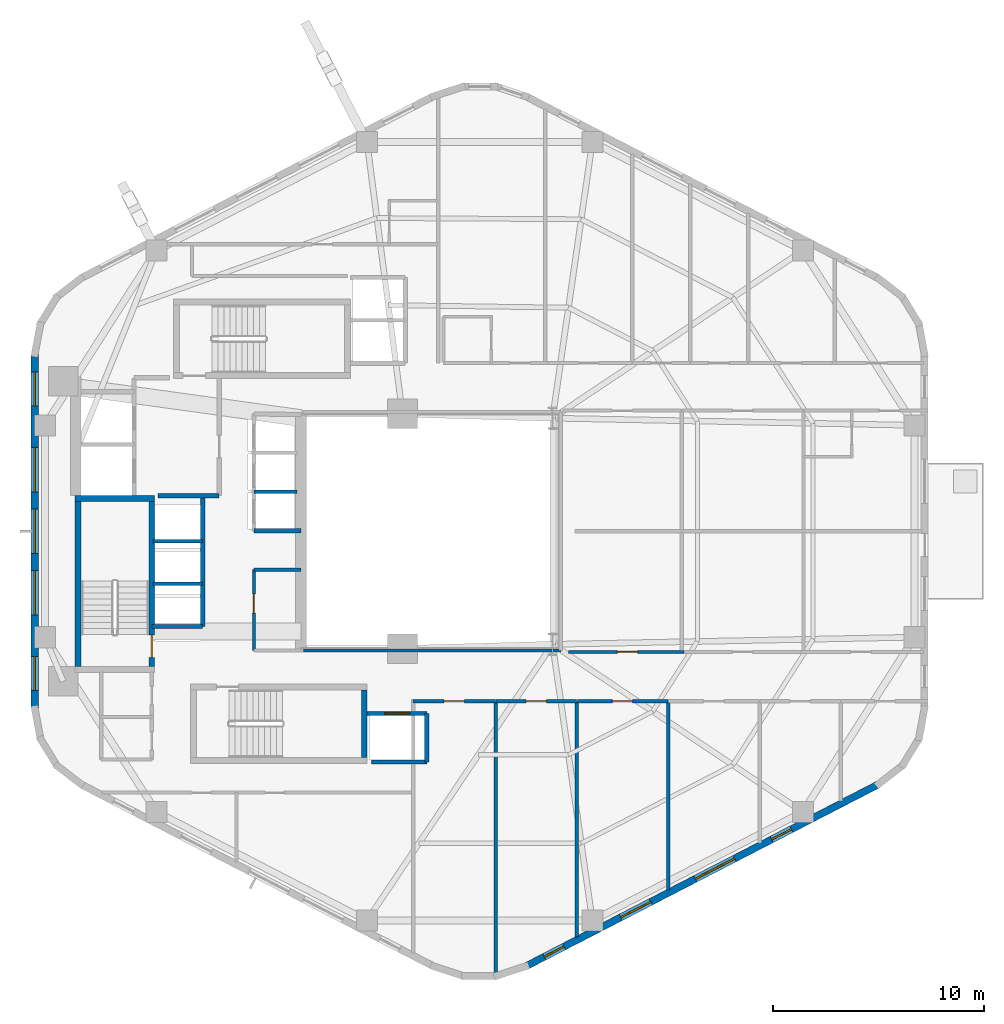
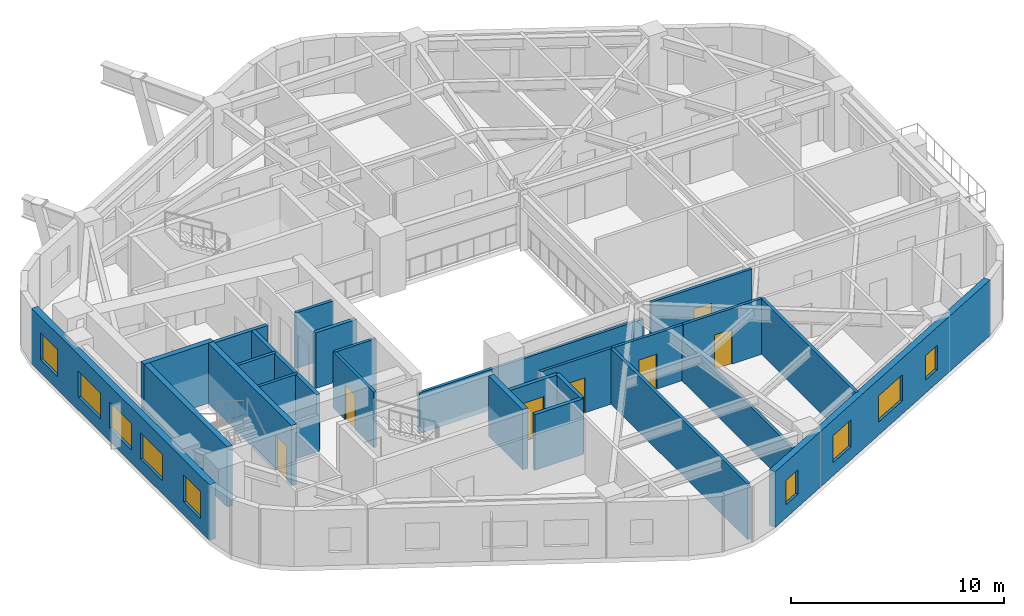
# One storey, part 3 of 8: 26 walls, 9 windows, 7 doors, 16 openings.
"""IFC4 building model written with IfcOpenShell, lengths in metres."""

from ifc_helpers import new_model, si_unit, direction, frame, frame_2d, origin, place, context, subcontext, project, spatial, rectangle, extrude, material, layer, layer_set, type_object, element, fill, save


model = new_model("IFC4")

# Units and contexts
model_context = context("Model", 3, precision=1e-05, world=origin(), true_north=direction((0.0, 1.0)))
body_context = subcontext(model_context, "Body", "Model", "MODEL_VIEW")
ifc_project = project(units=[si_unit("LENGTHUNIT", "METRE"), si_unit("AREAUNIT", "SQUARE_METRE"), si_unit("VOLUMEUNIT", "CUBIC_METRE"), si_unit("PLANEANGLEUNIT", "RADIAN"), si_unit("MASSUNIT", "GRAM", prefix="KILO"), si_unit("THERMODYNAMICTEMPERATUREUNIT", "KELVIN"), si_unit("POWERUNIT", "WATT")], contexts=[model_context])

# Site, building, storey
site_placement = place(None, origin())
site = spatial("IfcSite", under=ifc_project, at=site_placement, CompositionType="ELEMENT")
building_placement = place(site_placement, origin())
building = spatial("IfcBuilding", under=site, at=building_placement, Name="Skarre Station Tower", CompositionType="ELEMENT")
storey_placement = place(building_placement, frame((0.0, 0.0, 125.699951171875)))
storey = spatial("IfcBuildingStorey", under=building, at=storey_placement, Name="L33", CompositionType="ELEMENT", Elevation=125.699951171875)

# Wall, opening, door
ifc_material_1 = material(Name="Acoustic Steel-Stud Gypsum Partition", Category="steel")
ifc_layer_1 = layer(ifc_material_1, 0.14990234375, Name="Acoustic Steel-Stud Gypsum Partition")
ifc_layer_set_1 = layer_set([ifc_layer_1], Name="Acoustic Steel-Stud Gypsum Partition")
wall_type_1 = type_object("IfcWallType", Name="Fire-Rated Corridor Acoustic Partition 150", PredefinedType="PARTITIONING", material=ifc_layer_set_1)
wall_1_placement = place(storey_placement, frame((25.320068359375, 22.179931640625, 0.0), z_axis=(0.0, 0.0, 1.0), x_axis=(0.0, -1.0, 0.0)))
wall_1 = element("IfcWall", 1, at=wall_1_placement, inside=storey, type_object=wall_type_1, Name="L33 Interior Partition WL-PT-L33-RC1-W", PredefinedType="PARTITIONING", context=body_context, shape_type="SweptSolid", body=[
    extrude(rectangle(XDim=3.81982421875, YDim=0.14990234375, at=frame_2d((1.909912109375, 0.0))), origin(), (0.0, 0.0, 1.0), 3.18994140625),
])
opening_1_placement = place(wall_1_placement, frame((1.14990234375, 0.0, 0.0)))
opening_1 = element("IfcOpeningElement", 2, at=opening_1_placement, cuts=wall_1, Name="Opening DR-SVC90", PredefinedType="OPENING", context=body_context, shape_type="SweptSolid", body=[
    extrude(rectangle(XDim=0.89990234375, YDim=2.0, at=frame_2d((0.449951171875, 1.0))), frame((0.0, 0.0849609375, 0.0), z_axis=(0.0, -1.0, 0.0), x_axis=(1.0, 0.0, 0.0)), (0.0, 0.0, 1.0), 0.169921875),
])
ifc_material_2 = material(Name="Powder-Coated Hollow-Metal Acoustic Fire Leaf", Category="steel")
door_type_1 = type_object("IfcDoorType", Name="Service & Riser Fire Door FD60 900x2100", OperationType="SINGLE_SWING_LEFT", PredefinedType="DOOR", material=ifc_material_2)
door_1_placement = place(opening_1_placement, origin())
door_1 = element("IfcDoor", 3, at=door_1_placement, inside=storey, type_object=door_type_1, Name="L33 Staff Pantry Door", OperationType="SINGLE_SWING_LEFT", OverallHeight=2.0, OverallWidth=0.89990234375, PredefinedType="DOOR", context=body_context, shape_type="SweptSolid", body=[
    extrude(rectangle(XDim=0.89990234375, YDim=2.0, at=frame_2d((0.449951171875, 1.0))), frame((0.0, 0.02490234375, 0.0), z_axis=(0.0, -1.0, 0.0), x_axis=(1.0, 0.0, 0.0)), (0.0, 0.0, 1.0), 0.050048828125),
])
fill(opening_1, door_1)

# Walls
wall_2_placement = place(storey_placement, frame((25.320068359375, 22.179931640625, 0.0), z_axis=(0.0, 0.0, 1.0), x_axis=(1.0, 0.0, 0.0)))
element("IfcWall", 4, at=wall_2_placement, inside=storey, type_object=wall_type_1, Name="L33 Interior Partition WL-PT-L33-RC1-N2", PredefinedType="PARTITIONING", context=body_context, shape_type="SweptSolid", body=[
    extrude(rectangle(XDim=2.22998046875, YDim=0.14990234375, at=frame_2d((1.114990234375, 0.0))), origin(), (0.0, 0.0, 1.0), 3.18994140625),
])
wall_3_placement = place(storey_placement, frame((27.675048828125, 18.360107421875, 0.0), z_axis=(0.0, 0.0, 1.0), x_axis=(1.0, 0.0, 0.0)))
element("IfcWall", 5, at=wall_3_placement, inside=storey, type_object=wall_type_1, Name="L33 Interior Partition WL-PT-L33-ATRW-S", PredefinedType="PARTITIONING", context=body_context, shape_type="SweptSolid", body=[
    extrude(rectangle(XDim=12.1650390625, YDim=0.14990234375, at=frame_2d((6.08251953125, 0.0))), origin(), (0.0, 0.0, 1.0), 2.3310546875),
])

# Wall, opening, door
wall_4_placement = place(storey_placement, frame((45.6689453125, 18.2900390625, 0.0), z_axis=(0.0, 0.0, 1.0), x_axis=(-1.0, 0.0, 0.0)))
wall_4 = element("IfcWall", 6, at=wall_4_placement, inside=storey, type_object=wall_type_1, Name="L33 Interior Partition WL-PT-L33-EWS1-CW", PredefinedType="PARTITIONING", context=body_context, shape_type="SweptSolid", body=[
    extrude(rectangle(XDim=5.468994140625, YDim=0.14990234375, at=frame_2d((2.734375, 0.0))), origin(), (0.0, 0.0, 1.0), 3.18994140625),
])
opening_2_placement = place(wall_4_placement, frame((2.197021484375, 0.0, 0.0)))
opening_2 = element("IfcOpeningElement", 7, at=opening_2_placement, cuts=wall_4, Name="Opening DR-FD60", PredefinedType="OPENING", context=body_context, shape_type="SweptSolid", body=[
    extrude(rectangle(XDim=0.9599609375, YDim=2.0, at=frame_2d((0.47998046875, 1.0))), frame((0.0, 0.0849609375, 0.0), z_axis=(0.0, -1.0, 0.0), x_axis=(1.0, 0.0, 0.0)), (0.0, 0.0, 1.0), 0.169921875),
])
ifc_material_3 = material(Name="Nordic White-Oak Veneer Solid-Core Fire Leaf", Category="wood")
door_type_2 = type_object("IfcDoorType", Name="Corridor Suite Entry Fire Door FD60 960x2150", OperationType="SINGLE_SWING_LEFT", PredefinedType="DOOR", material=ifc_material_3)
door_2_placement = place(opening_2_placement, origin())
door_2 = element("IfcDoor", 8, at=door_2_placement, inside=storey, type_object=door_type_2, Name="L33 EWS1 Entry Door", OperationType="SINGLE_SWING_LEFT", OverallHeight=2.0, OverallWidth=0.9599609375, PredefinedType="DOOR", context=body_context, shape_type="SweptSolid", body=[
    extrude(rectangle(XDim=0.9599609375, YDim=2.0, at=frame_2d((0.47998046875, 1.0))), frame((0.0, 0.02490234375, 0.0), z_axis=(0.0, -1.0, 0.0), x_axis=(1.0, 0.0, 0.0)), (0.0, 0.0, 1.0), 0.050048828125),
])
fill(opening_2, door_2)

wall_5_placement = place(storey_placement, frame((32.85009765625, 15.9599609375, 0.0), z_axis=(0.0, 0.0, 1.0), x_axis=(1.0, 0.0, 0.0)))
wall_5 = element("IfcWall", 9, at=wall_5_placement, inside=storey, type_object=wall_type_1, Name="L33 Interior Partition WL-PT-L33-SW1-CW", PredefinedType="PARTITIONING", context=body_context, shape_type="SweptSolid", body=[
    extrude(rectangle(XDim=3.891845703125, YDim=0.14990234375, at=frame_2d((1.94580078125, 0.0))), origin(), (0.0, 0.0, 1.0), 3.18994140625),
])
opening_3_placement = place(wall_5_placement, frame((1.466064453125, 0.0, 0.0)))
opening_3 = element("IfcOpeningElement", 10, at=opening_3_placement, cuts=wall_5, Name="Opening DR-FD60", PredefinedType="OPENING", context=body_context, shape_type="SweptSolid", body=[
    extrude(rectangle(XDim=0.9599609375, YDim=2.0, at=frame_2d((0.47998046875, 1.0))), frame((0.0, 0.0849609375, 0.0), z_axis=(0.0, -1.0, 0.0), x_axis=(1.0, 0.0, 0.0)), (0.0, 0.0, 1.0), 0.169921875),
])
door_3_placement = place(opening_3_placement, origin())
door_3 = element("IfcDoor", 11, at=door_3_placement, inside=storey, type_object=door_type_2, Name="L33 SW1 Entry Door", OperationType="SINGLE_SWING_LEFT", OverallHeight=2.0, OverallWidth=0.9599609375, PredefinedType="DOOR", context=body_context, shape_type="SweptSolid", body=[
    extrude(rectangle(XDim=0.9599609375, YDim=2.0, at=frame_2d((0.47998046875, 1.0))), frame((0.0, 0.02490234375, 0.0), z_axis=(0.0, -1.0, 0.0), x_axis=(1.0, 0.0, 0.0)), (0.0, 0.0, 1.0), 0.050048828125),
])
fill(opening_3, door_3)

wall_6_placement = place(storey_placement, frame((36.778076171875, 15.9599609375, 0.0), z_axis=(0.0, 0.0, 1.0), x_axis=(1.0, 0.0, 0.0)))
wall_6 = element("IfcWall", 12, at=wall_6_placement, inside=storey, type_object=wall_type_1, Name="L33 Interior Partition WL-PT-L33-SW2-CW", PredefinedType="PARTITIONING", context=body_context, shape_type="SweptSolid", body=[
    extrude(rectangle(XDim=3.802978515625, YDim=0.14990234375, at=frame_2d((1.9013671875, 0.0))), origin(), (0.0, 0.0, 1.0), 3.18994140625),
])
opening_4_placement = place(wall_6_placement, frame((1.422119140625, 0.0, 0.0)))
opening_4 = element("IfcOpeningElement", 13, at=opening_4_placement, cuts=wall_6, Name="Opening DR-FD60", PredefinedType="OPENING", context=body_context, shape_type="SweptSolid", body=[
    extrude(rectangle(XDim=0.9599609375, YDim=2.0, at=frame_2d((0.47998046875, 1.0))), frame((0.0, 0.0849609375, 0.0), z_axis=(0.0, -1.0, 0.0), x_axis=(1.0, 0.0, 0.0)), (0.0, 0.0, 1.0), 0.169921875),
])
door_4_placement = place(opening_4_placement, origin())
door_4 = element("IfcDoor", 14, at=door_4_placement, inside=storey, type_object=door_type_2, Name="L33 SW2 Entry Door", OperationType="SINGLE_SWING_LEFT", OverallHeight=2.0, OverallWidth=0.9599609375, PredefinedType="DOOR", context=body_context, shape_type="SweptSolid", body=[
    extrude(rectangle(XDim=0.9599609375, YDim=2.0, at=frame_2d((0.47998046875, 1.0))), frame((0.0, 0.02490234375, 0.0), z_axis=(0.0, -1.0, 0.0), x_axis=(1.0, 0.0, 0.0)), (0.0, 0.0, 1.0), 0.050048828125),
])
fill(opening_4, door_4)

wall_7_placement = place(storey_placement, frame((40.616943359375, 15.9599609375, 0.0), z_axis=(0.0, 0.0, 1.0), x_axis=(1.0, 0.0, 0.0)))
wall_7 = element("IfcWall", 15, at=wall_7_placement, inside=storey, type_object=wall_type_1, Name="L33 Interior Partition WL-PT-L33-SW3-CW", PredefinedType="PARTITIONING", context=body_context, shape_type="SweptSolid", body=[
    extrude(rectangle(XDim=4.283935546875, YDim=0.14990234375, at=frame_2d((2.14208984375, 0.0))), origin(), (0.0, 0.0, 1.0), 3.18994140625),
])
opening_5_placement = place(wall_7_placement, frame((1.662109375, 0.0, 0.0)))
opening_5 = element("IfcOpeningElement", 16, at=opening_5_placement, cuts=wall_7, Name="Opening DR-FD60", PredefinedType="OPENING", context=body_context, shape_type="SweptSolid", body=[
    extrude(rectangle(XDim=0.9599609375, YDim=2.0, at=frame_2d((0.47998046875, 1.0))), frame((0.0, 0.0849609375, 0.0), z_axis=(0.0, -1.0, 0.0), x_axis=(1.0, 0.0, 0.0)), (0.0, 0.0, 1.0), 0.169921875),
])
door_5_placement = place(opening_5_placement, origin())
door_5 = element("IfcDoor", 17, at=door_5_placement, inside=storey, type_object=door_type_2, Name="L33 SW3 Entry Door", OperationType="SINGLE_SWING_LEFT", OverallHeight=2.0, OverallWidth=0.9599609375, PredefinedType="DOOR", context=body_context, shape_type="SweptSolid", body=[
    extrude(rectangle(XDim=0.9599609375, YDim=2.0, at=frame_2d((0.47998046875, 1.0))), frame((0.0, 0.02490234375, 0.0), z_axis=(0.0, -1.0, 0.0), x_axis=(1.0, 0.0, 0.0)), (0.0, 0.0, 1.0), 0.050048828125),
])
fill(opening_5, door_5)

# Wall, openings, windows
ifc_material_4 = material(Name="Precast concrete C45/55", Category="concrete")
ifc_layer_2 = layer(ifc_material_4, 0.340087890625, Name="Precast concrete C45/55")
ifc_layer_set_2 = layer_set([ifc_layer_2], Name="Precast concrete C45/55")
wall_type_2 = type_object("IfcWallType", Name="Nordic Honed Precast Facet Wall 340", PredefinedType="STANDARD", material=ifc_layer_set_2)
wall_8_placement = place(storey_placement, frame((14.951904296875, 15.64794921875, 0.0), z_axis=(0.0, 0.0, 1.0), x_axis=(0.0, 1.0, 0.0)))
wall_8 = element("IfcWall", 18, at=wall_8_placement, inside=storey, type_object=wall_type_2, Name="L33 Facet 2 Nordic Precast Masonry Wall", PredefinedType="STANDARD", context=body_context, shape_type="SweptSolid", body=[
    extrude(rectangle(XDim=16.7041015625, YDim=0.340087890625, at=frame_2d((8.35205078125, 0.0))), origin(), (0.0, 0.0, 1.0), 3.18994140625),
])
opening_6_placement = place(wall_8_placement, frame((0.825927734375, 0.0, 0.75)))
opening_6 = element("IfcOpeningElement", 19, at=opening_6_placement, cuts=wall_8, Name="Opening WN-Z2A", PredefinedType="OPENING", context=body_context, shape_type="SweptSolid", body=[
    extrude(rectangle(XDim=1.60009765625, YDim=1.550048828125, at=frame_2d((0.800048828125, 0.77490234375))), frame((0.0, 0.179931640625, 0.0), z_axis=(0.0, -1.0, 0.0), x_axis=(1.0, 0.0, 0.0)), (0.0, 0.0, 1.0), 0.360107421875),
])
opening_7_placement = place(wall_8_placement, frame((4.387939453125, 0.0, 0.75)))
opening_7 = element("IfcOpeningElement", 20, at=opening_7_placement, cuts=wall_8, Name="Opening WN-Z2B", PredefinedType="OPENING", context=body_context, shape_type="SweptSolid", body=[
    extrude(rectangle(XDim=2.10009765625, YDim=1.5, at=frame_2d((1.050048828125, 0.75))), frame((0.0, 0.179931640625, 0.0), z_axis=(0.0, -1.0, 0.0), x_axis=(1.0, 0.0, 0.0)), (0.0, 0.0, 1.0), 0.360107421875),
])
opening_8_placement = place(wall_8_placement, frame((7.302001953125, 0.0, 0.75)))
opening_8 = element("IfcOpeningElement", 21, at=opening_8_placement, cuts=wall_8, Name="Opening WN-Z2B", PredefinedType="OPENING", context=body_context, shape_type="SweptSolid", body=[
    extrude(rectangle(XDim=2.10009765625, YDim=1.5, at=frame_2d((1.050048828125, 0.75))), frame((0.0, 0.179931640625, 0.0), z_axis=(0.0, -1.0, 0.0), x_axis=(1.0, 0.0, 0.0)), (0.0, 0.0, 1.0), 0.360107421875),
])
opening_9_placement = place(wall_8_placement, frame((10.216064453125, 0.0, 0.75)))
opening_9 = element("IfcOpeningElement", 22, at=opening_9_placement, cuts=wall_8, Name="Opening WN-Z2B", PredefinedType="OPENING", context=body_context, shape_type="SweptSolid", body=[
    extrude(rectangle(XDim=2.10009765625, YDim=1.5, at=frame_2d((1.050048828125, 0.75))), frame((0.0, 0.179931640625, 0.0), z_axis=(0.0, -1.0, 0.0), x_axis=(1.0, 0.0, 0.0)), (0.0, 0.0, 1.0), 0.360107421875),
])
opening_10_placement = place(wall_8_placement, frame((14.278076171875, 0.0, 0.75)))
opening_10 = element("IfcOpeningElement", 23, at=opening_10_placement, cuts=wall_8, Name="Opening WN-Z2A", PredefinedType="OPENING", context=body_context, shape_type="SweptSolid", body=[
    extrude(rectangle(XDim=1.60009765625, YDim=1.550048828125, at=frame_2d((0.800048828125, 0.77490234375))), frame((0.0, 0.179931640625, 0.0), z_axis=(0.0, -1.0, 0.0), x_axis=(1.0, 0.0, 0.0)), (0.0, 0.0, 1.0), 0.360107421875),
])
ifc_material_5 = material(Name="Low-Iron Triple Glazing with Bronze Anodized Frame", Category="glass")
window_type_1 = type_object("IfcWindowType", Name="Nordic Residential Tall Window 1600x1550", PartitioningType="SINGLE_PANEL", PredefinedType="WINDOW", material=ifc_material_5)
window_1_placement = place(opening_6_placement, origin())
window_1 = element("IfcWindow", 24, at=window_1_placement, inside=storey, type_object=window_type_1, Name="L33 Facade Window WL-FAC-L33-F2-1", OverallHeight=1.550048828125, OverallWidth=1.60009765625, PartitioningType="SINGLE_PANEL", PredefinedType="WINDOW", context=body_context, shape_type="SweptSolid", body=[
    extrude(rectangle(XDim=1.60009765625, YDim=1.550048828125, at=frame_2d((0.800048828125, 0.77490234375))), frame((0.0, 0.030029296875, 0.0), z_axis=(0.0, -1.0, 0.0), x_axis=(1.0, 0.0, 0.0)), (0.0, 0.0, 1.0), 0.06005859375),
])
fill(opening_6, window_1)
window_2_placement = place(opening_10_placement, origin())
window_2 = element("IfcWindow", 25, at=window_2_placement, inside=storey, type_object=window_type_1, Name="L33 Facade Window WL-FAC-L33-F2-5", OverallHeight=1.550048828125, OverallWidth=1.60009765625, PartitioningType="SINGLE_PANEL", PredefinedType="WINDOW", context=body_context, shape_type="SweptSolid", body=[
    extrude(rectangle(XDim=1.60009765625, YDim=1.550048828125, at=frame_2d((0.800048828125, 0.77490234375))), frame((0.0, 0.030029296875, 0.0), z_axis=(0.0, -1.0, 0.0), x_axis=(1.0, 0.0, 0.0)), (0.0, 0.0, 1.0), 0.06005859375),
])
fill(opening_10, window_2)
window_type_2 = type_object("IfcWindowType", Name="Nordic Residential Twin Window 2100x1500", PartitioningType="SINGLE_PANEL", PredefinedType="WINDOW", material=ifc_material_5)
window_3_placement = place(opening_7_placement, origin())
window_3 = element("IfcWindow", 26, at=window_3_placement, inside=storey, type_object=window_type_2, Name="L33 Facade Window WL-FAC-L33-F2-2", OverallHeight=1.5, OverallWidth=2.10009765625, PartitioningType="SINGLE_PANEL", PredefinedType="WINDOW", context=body_context, shape_type="SweptSolid", body=[
    extrude(rectangle(XDim=2.10009765625, YDim=1.5, at=frame_2d((1.050048828125, 0.75))), frame((0.0, 0.030029296875, 0.0), z_axis=(0.0, -1.0, 0.0), x_axis=(1.0, 0.0, 0.0)), (0.0, 0.0, 1.0), 0.06005859375),
])
fill(opening_7, window_3)
window_4_placement = place(opening_8_placement, origin())
window_4 = element("IfcWindow", 27, at=window_4_placement, inside=storey, type_object=window_type_2, Name="L33 Facade Window WL-FAC-L33-F2-3", OverallHeight=1.5, OverallWidth=2.10009765625, PartitioningType="SINGLE_PANEL", PredefinedType="WINDOW", context=body_context, shape_type="SweptSolid", body=[
    extrude(rectangle(XDim=2.10009765625, YDim=1.5, at=frame_2d((1.050048828125, 0.75))), frame((0.0, 0.030029296875, 0.0), z_axis=(0.0, -1.0, 0.0), x_axis=(1.0, 0.0, 0.0)), (0.0, 0.0, 1.0), 0.06005859375),
])
fill(opening_8, window_4)
window_5_placement = place(opening_9_placement, origin())
window_5 = element("IfcWindow", 28, at=window_5_placement, inside=storey, type_object=window_type_2, Name="L33 Facade Window WL-FAC-L33-F2-4", OverallHeight=1.5, OverallWidth=2.10009765625, PartitioningType="SINGLE_PANEL", PredefinedType="WINDOW", context=body_context, shape_type="SweptSolid", body=[
    extrude(rectangle(XDim=2.10009765625, YDim=1.5, at=frame_2d((1.050048828125, 0.75))), frame((0.0, 0.030029296875, 0.0), z_axis=(0.0, -1.0, 0.0), x_axis=(1.0, 0.0, 0.0)), (0.0, 0.0, 1.0), 0.06005859375),
])
fill(opening_9, window_5)

wall_9_placement = place(storey_placement, frame((54.8310546875, 12.010009765625, 0.0), z_axis=(0.0, 0.0, 1.0), x_axis=(-0.888613612362, -0.458656568606, 0.0)))
wall_9 = element("IfcWall", 29, at=wall_9_placement, inside=storey, type_object=wall_type_2, Name="L33 Facet 4 Nordic Precast Masonry Wall", PredefinedType="STANDARD", context=body_context, shape_type="SweptSolid", body=[
    extrude(rectangle(XDim=18.680908203125, YDim=0.340087890625, at=frame_2d((9.34033203125, 0.0))), origin(), (0.0, 0.0, 1.0), 3.18994140625),
])
opening_11_placement = place(wall_9_placement, frame((4.596923828125, 0.0, 0.75)))
opening_11 = element("IfcOpeningElement", 30, at=opening_11_placement, cuts=wall_9, Name="Opening WN-SLT", PredefinedType="OPENING", context=body_context, shape_type="SweptSolid", body=[
    extrude(rectangle(XDim=1.050048828125, YDim=1.39990234375, at=frame_2d((0.52490234375, 0.699951171875))), frame((0.0, 0.179931640625, 0.0), z_axis=(0.0, -1.0, 0.0), x_axis=(1.0, 0.0, 0.0)), (0.0, 0.0, 1.0), 0.360107421875),
])
opening_12_placement = place(wall_9_placement, frame((7.612060546875, 0.0, 0.75)))
opening_12 = element("IfcOpeningElement", 31, at=opening_12_placement, cuts=wall_9, Name="Opening WN-Z2B", PredefinedType="OPENING", context=body_context, shape_type="SweptSolid", body=[
    extrude(rectangle(XDim=2.10009765625, YDim=1.5, at=frame_2d((1.050048828125, 0.75))), frame((0.0, 0.179931640625, 0.0), z_axis=(0.0, -1.0, 0.0), x_axis=(1.0, 0.0, 0.0)), (0.0, 0.0, 1.0), 0.360107421875),
])
opening_13_placement = place(wall_9_placement, frame((12.080078125, 0.0, 0.75)))
opening_13 = element("IfcOpeningElement", 32, at=opening_13_placement, cuts=wall_9, Name="Opening WN-Z2A", PredefinedType="OPENING", context=body_context, shape_type="SweptSolid", body=[
    extrude(rectangle(XDim=1.60009765625, YDim=1.550048828125, at=frame_2d((0.800048828125, 0.77490234375))), frame((0.0, 0.179931640625, 0.0), z_axis=(0.0, -1.0, 0.0), x_axis=(1.0, 0.0, 0.0)), (0.0, 0.0, 1.0), 0.360107421875),
])
opening_14_placement = place(wall_9_placement, frame((16.698974609375, 0.0, 0.75)))
opening_14 = element("IfcOpeningElement", 33, at=opening_14_placement, cuts=wall_9, Name="Opening WN-SLT", PredefinedType="OPENING", context=body_context, shape_type="SweptSolid", body=[
    extrude(rectangle(XDim=1.050048828125, YDim=1.39990234375, at=frame_2d((0.52490234375, 0.699951171875))), frame((0.0, 0.179931640625, 0.0), z_axis=(0.0, -1.0, 0.0), x_axis=(1.0, 0.0, 0.0)), (0.0, 0.0, 1.0), 0.360107421875),
])
window_type_3 = type_object("IfcWindowType", Name="Nordic Corner Slot Window 1050x1400", PartitioningType="SINGLE_PANEL", PredefinedType="WINDOW", material=ifc_material_5)
window_6_placement = place(opening_11_placement, origin())
window_6 = element("IfcWindow", 34, at=window_6_placement, inside=storey, type_object=window_type_3, Name="L33 Facade Window WL-FAC-L33-F4-1", OverallHeight=1.39990234375, OverallWidth=1.050048828125, PartitioningType="SINGLE_PANEL", PredefinedType="WINDOW", context=body_context, shape_type="SweptSolid", body=[
    extrude(rectangle(XDim=1.050048828125, YDim=1.39990234375, at=frame_2d((0.52490234375, 0.699951171875))), frame((0.0, 0.030029296875, 0.0), z_axis=(0.0, -1.0, 0.0), x_axis=(1.0, 0.0, 0.0)), (0.0, 0.0, 1.0), 0.06005859375),
])
fill(opening_11, window_6)
window_7_placement = place(opening_14_placement, origin())
window_7 = element("IfcWindow", 35, at=window_7_placement, inside=storey, type_object=window_type_3, Name="L33 Facade Window WL-FAC-L33-F4-4", OverallHeight=1.39990234375, OverallWidth=1.050048828125, PartitioningType="SINGLE_PANEL", PredefinedType="WINDOW", context=body_context, shape_type="SweptSolid", body=[
    extrude(rectangle(XDim=1.050048828125, YDim=1.39990234375, at=frame_2d((0.52490234375, 0.699951171875))), frame((0.0, 0.030029296875, 0.0), z_axis=(0.0, -1.0, 0.0), x_axis=(1.0, 0.0, 0.0)), (0.0, 0.0, 1.0), 0.06005859375),
])
fill(opening_14, window_7)
window_8_placement = place(opening_13_placement, origin())
window_8 = element("IfcWindow", 36, at=window_8_placement, inside=storey, type_object=window_type_1, Name="L33 Facade Window WL-FAC-L33-F4-3", OverallHeight=1.550048828125, OverallWidth=1.60009765625, PartitioningType="SINGLE_PANEL", PredefinedType="WINDOW", context=body_context, shape_type="SweptSolid", body=[
    extrude(rectangle(XDim=1.60009765625, YDim=1.550048828125, at=frame_2d((0.800048828125, 0.77490234375))), frame((0.0, 0.030029296875, 0.0), z_axis=(0.0, -1.0, 0.0), x_axis=(1.0, 0.0, 0.0)), (0.0, 0.0, 1.0), 0.06005859375),
])
fill(opening_13, window_8)
window_9_placement = place(opening_12_placement, origin())
window_9 = element("IfcWindow", 37, at=window_9_placement, inside=storey, type_object=window_type_2, Name="L33 Facade Window WL-FAC-L33-F4-2", OverallHeight=1.5, OverallWidth=2.10009765625, PartitioningType="SINGLE_PANEL", PredefinedType="WINDOW", context=body_context, shape_type="SweptSolid", body=[
    extrude(rectangle(XDim=2.10009765625, YDim=1.5, at=frame_2d((1.050048828125, 0.75))), frame((0.0, 0.030029296875, 0.0), z_axis=(0.0, -1.0, 0.0), x_axis=(1.0, 0.0, 0.0)), (0.0, 0.0, 1.0), 0.06005859375),
])
fill(opening_12, window_9)

# Walls
ifc_material_6 = material(Name="Concrete C50/60", Category="concrete")
ifc_layer_3 = layer(ifc_material_6, 0.280029296875, Name="Concrete C50/60")
ifc_layer_set_3 = layer_set([ifc_layer_3], Name="Concrete C50/60")
wall_type_3 = type_object("IfcWallType", Name="RC Core Shear Wall 280", PredefinedType="SHEAR", material=ifc_layer_set_3)
wall_10_placement = place(storey_placement, frame((20.6298828125, 25.5400390625, 0.0), z_axis=(0.0, 0.0, 1.0), x_axis=(-1.0, 0.0, 0.0)))
element("IfcWall", 38, at=wall_10_placement, inside=storey, type_object=wall_type_3, Name="L33 Stair ST-1 North Shear Wall", PredefinedType="SHEAR", context=body_context, shape_type="SweptSolid", body=[
    extrude(rectangle(XDim=3.759765625, YDim=0.280029296875, at=frame_2d((1.8798828125, 0.0))), origin(), (0.0, 0.0, 1.0), 3.449951171875),
])
wall_11_placement = place(storey_placement, frame((17.010009765625, 25.39990234375, 0.0), z_axis=(0.0, 0.0, 1.0), x_axis=(0.0, -1.0, 0.0)))
element("IfcWall", 39, at=wall_11_placement, inside=storey, type_object=wall_type_3, Name="L33 Stair ST-1 West Shear Wall", PredefinedType="SHEAR", context=body_context, shape_type="SweptSolid", body=[
    extrude(rectangle(XDim=7.7998046875, YDim=0.280029296875, at=frame_2d((3.89990234375, 0.0))), origin(), (0.0, 0.0, 1.0), 3.449951171875),
])

# Wall, opening, door
wall_12_placement = place(storey_placement, frame((20.489990234375, 17.60009765625, 0.0), z_axis=(0.0, 0.0, 1.0), x_axis=(0.0, 1.0, 0.0)))
wall_12 = element("IfcWall", 40, at=wall_12_placement, inside=storey, type_object=wall_type_3, Name="L33 Stair ST-1 East Shear Wall", PredefinedType="SHEAR", context=body_context, shape_type="SweptSolid", body=[
    extrude(rectangle(XDim=7.7998046875, YDim=0.280029296875, at=frame_2d((3.89990234375, 0.0))), origin(), (0.0, 0.0, 1.0), 3.449951171875),
])
opening_15_placement = place(wall_12_placement, frame((0.43994140625, 0.0, 0.0)))
opening_15 = element("IfcOpeningElement", 41, at=opening_15_placement, cuts=wall_12, Name="Opening DR-FD90", PredefinedType="OPENING", context=body_context, shape_type="SweptSolid", body=[
    extrude(rectangle(XDim=1.050048828125, YDim=2.0, at=frame_2d((0.52490234375, 1.0))), frame((0.0, 0.14990234375, 0.0), z_axis=(0.0, -1.0, 0.0), x_axis=(1.0, 0.0, 0.0)), (0.0, 0.0, 1.0), 0.300048828125),
])
ifc_material_7 = material(Name="Fire-Rated Insulated Steel Frame & Timber Core Leaf", Category="steel")
door_type_3 = type_object("IfcDoorType", Name="Stair & FSAE Lobby Fire Door FD90 1050x2150", OperationType="SINGLE_SWING_RIGHT", PredefinedType="DOOR", material=ifc_material_7)
door_6_placement = place(opening_15_placement, origin())
door_6 = element("IfcDoor", 42, at=door_6_placement, inside=storey, type_object=door_type_3, Name="L33 Stair ST-1 Exit Door", OperationType="SINGLE_SWING_RIGHT", OverallHeight=2.0, OverallWidth=1.050048828125, PredefinedType="DOOR", context=body_context, shape_type="SweptSolid", body=[
    extrude(rectangle(XDim=1.050048828125, YDim=2.0, at=frame_2d((0.52490234375, 1.0))), frame((0.0, 0.02490234375, 0.0), z_axis=(0.0, -1.0, 0.0), x_axis=(1.0, 0.0, 0.0)), (0.0, 0.0, 1.0), 0.050048828125),
])
fill(opening_15, door_6)

# Walls
wall_13_placement = place(storey_placement, frame((30.5400390625, 13.300048828125, 0.0), z_axis=(0.0, 0.0, 1.0), x_axis=(0.0, 1.0, 0.0)))
element("IfcWall", 43, at=wall_13_placement, inside=storey, type_object=wall_type_3, Name="L33 Stair ST-2 East Shear Wall", PredefinedType="SHEAR", context=body_context, shape_type="SweptSolid", body=[
    extrude(rectangle(XDim=3.199951171875, YDim=0.280029296875, at=frame_2d((1.60009765625, 0.0))), origin(), (0.0, 0.0, 1.0), 3.449951171875),
])
ifc_material_8 = material(Name="Gypsum Concrete Shaft Assembly C30/37", Category="concrete")
ifc_layer_4 = layer(ifc_material_8, 0.199951171875, Name="Gypsum Concrete Shaft Assembly C30/37")
ifc_layer_set_4 = layer_set([ifc_layer_4], Name="Gypsum Concrete Shaft Assembly C30/37")
wall_type_4 = type_object("IfcWallType", Name="Shaft & Core Fire Partition 200", PredefinedType="PARTITIONING", material=ifc_layer_set_4)
wall_14_placement = place(storey_placement, frame((20.79296875, 25.679931640625, 0.0), z_axis=(0.0, 0.0, 1.0), x_axis=(1.0, 0.0, 0.0)))
element("IfcWall", 44, at=wall_14_placement, inside=storey, type_object=wall_type_4, Name="L33 Interior Partition WL-PT-L33-FSAE-S", PredefinedType="PARTITIONING", context=body_context, shape_type="SweptSolid", body=[
    extrude(rectangle(XDim=2.886962890625, YDim=0.199951171875, at=frame_2d((1.443359375, 0.0))), origin(), (0.0, 0.0, 1.0), 3.18994140625),
])

# Wall, opening, door
wall_15_placement = place(storey_placement, frame((33.5, 15.3798828125, 0.0), z_axis=(0.0, 0.0, 1.0), x_axis=(-1.0, 0.0, 0.0)))
wall_15 = element("IfcWall", 45, at=wall_15_placement, inside=storey, type_object=wall_type_4, Name="L33 Interior Partition WL-PT-L33-SV1-N", PredefinedType="PARTITIONING", context=body_context, shape_type="SweptSolid", body=[
    extrude(rectangle(XDim=2.820068359375, YDim=0.199951171875, at=frame_2d((1.41015625, 0.0))), origin(), (0.0, 0.0, 1.0), 3.18994140625),
])
opening_16_placement = place(wall_15_placement, frame((0.800048828125, 0.0, 0.0)))
opening_16 = element("IfcOpeningElement", 46, at=opening_16_placement, cuts=wall_15, Name="Opening LD-SV1", PredefinedType="OPENING", context=body_context, shape_type="SweptSolid", body=[
    extrude(rectangle(XDim=1.199951171875, YDim=2.199951171875, at=frame_2d((0.60009765625, 1.10009765625))), frame((0.0, 0.10986328125, 0.0), z_axis=(0.0, -1.0, 0.0), x_axis=(1.0, 0.0, 0.0)), (0.0, 0.0, 1.0), 0.219970703125),
])
ifc_material_9 = material(Name="Heavy-Gauge Brushed Stainless Steel Sliding Leaves", Category="steel")
door_type_4 = type_object("IfcDoorType", Name="Service Elevator Wide Sliding Landing Door 1200x2200", OperationType="SLIDING_TO_RIGHT", PredefinedType="DOOR", material=ifc_material_9)
door_7_placement = place(opening_16_placement, origin())
door_7 = element("IfcDoor", 47, at=door_7_placement, inside=storey, type_object=door_type_4, Name="L33 Service Lift LF-SV1 Landing Door", OperationType="SLIDING_TO_RIGHT", OverallHeight=2.199951171875, OverallWidth=1.199951171875, PredefinedType="DOOR", context=body_context, shape_type="SweptSolid", body=[
    extrude(rectangle(XDim=1.199951171875, YDim=2.199951171875, at=frame_2d((0.60009765625, 1.10009765625))), frame((0.0, 0.02490234375, 0.0), z_axis=(0.0, -1.0, 0.0), x_axis=(1.0, 0.0, 0.0)), (0.0, 0.0, 1.0), 0.050048828125),
])
fill(opening_16, door_7)

# Walls
wall_16_placement = place(storey_placement, frame((33.5, 13.080078125, 0.0), z_axis=(0.0, 0.0, 1.0), x_axis=(0.0, 1.0, 0.0)))
element("IfcWall", 48, at=wall_16_placement, inside=storey, type_object=wall_type_4, Name="L33 Interior Partition WL-PT-L33-SV1-E", PredefinedType="PARTITIONING", context=body_context, shape_type="SweptSolid", body=[
    extrude(rectangle(XDim=2.2998046875, YDim=0.199951171875, at=frame_2d((1.14990234375, 0.0))), origin(), (0.0, 0.0, 1.0), 3.18994140625),
])
wall_17_placement = place(storey_placement, frame((30.87890625, 13.080078125, 0.0), z_axis=(0.0, 0.0, 1.0), x_axis=(1.0, 0.0, 0.0)))
element("IfcWall", 49, at=wall_17_placement, inside=storey, type_object=wall_type_4, Name="L33 Interior Partition WL-PT-L33-SV1-S", PredefinedType="PARTITIONING", context=body_context, shape_type="SweptSolid", body=[
    extrude(rectangle(XDim=2.62109375, YDim=0.199951171875, at=frame_2d((1.310546875, 0.0))), origin(), (0.0, 0.0, 1.0), 3.18994140625),
])
wall_18_placement = place(storey_placement, frame((22.89990234375, 19.5, 0.0), z_axis=(0.0, 0.0, 1.0), x_axis=(0.0, 1.0, 0.0)))
element("IfcWall", 50, at=wall_18_placement, inside=storey, type_object=wall_type_4, Name="L33 Interior Partition WL-PT-L33-B3-E", PredefinedType="PARTITIONING", context=body_context, shape_type="SweptSolid", body=[
    extrude(rectangle(XDim=6.0849609375, YDim=0.199951171875, at=frame_2d((3.04248046875, 0.0))), origin(), (0.0, 0.0, 1.0), 3.18994140625),
])
wall_19_placement = place(storey_placement, frame((20.489990234375, 19.5, 0.0), z_axis=(0.0, 0.0, 1.0), x_axis=(1.0, 0.0, 0.0)))
element("IfcWall", 51, at=wall_19_placement, inside=storey, type_object=wall_type_4, Name="L33 Interior Partition WL-PT-L33-B3-S", PredefinedType="PARTITIONING", context=body_context, shape_type="SweptSolid", body=[
    extrude(rectangle(XDim=2.409912109375, YDim=0.199951171875, at=frame_2d((1.205078125, 0.0))), origin(), (0.0, 0.0, 1.0), 2.090087890625),
])
for number, where, z_axis, x_axis, name in (
    (52, (20.550048828125, 21.52001953125, 0.0), (0.0, 0.0, 1.0), (1.0, 0.0, 0.0), "L33 Interior Partition WL-PT-L33-B3-D1"),
    (53, (20.550048828125, 23.52001953125, 0.0), (0.0, 0.0, 1.0), (1.0, 0.0, 0.0), "L33 Interior Partition WL-PT-L33-B3-D2"),
):
    element("IfcWall", number, at=place(storey_placement, frame(where, z_axis=z_axis, x_axis=x_axis)), inside=storey, type_object=wall_type_4, Name=name, PredefinedType="PARTITIONING", context=body_context, shape_type="SweptSolid", body=[
        extrude(rectangle(XDim=2.349853515625, YDim=0.159912109375, at=frame_2d((1.1748046875, 0.0))), origin(), (0.0, 0.0, 1.0), 3.18994140625),
    ])
wall_20_placement = place(storey_placement, frame((25.320068359375, 24.02001953125, 0.0), z_axis=(0.0, 0.0, 1.0), x_axis=(1.0, 0.0, 0.0)))
element("IfcWall", 54, at=wall_20_placement, inside=storey, type_object=wall_type_4, Name="L33 Interior Partition WL-PT-L33-B2-S", PredefinedType="PARTITIONING", context=body_context, shape_type="SweptSolid", body=[
    extrude(rectangle(XDim=2.22998046875, YDim=0.199951171875, at=frame_2d((1.114990234375, 0.0))), origin(), (0.0, 0.0, 1.0), 3.18994140625),
])
wall_21_placement = place(storey_placement, frame((25.320068359375, 25.8701171875, 0.0), z_axis=(0.0, 0.0, 1.0), x_axis=(1.0, 0.0, 0.0)))
element("IfcWall", 55, at=wall_21_placement, inside=storey, type_object=wall_type_4, Name="L33 Interior Partition WL-PT-L33-B2-D258", PredefinedType="PARTITIONING", context=body_context, shape_type="SweptSolid", body=[
    extrude(rectangle(XDim=2.030029296875, YDim=0.159912109375, at=frame_2d((1.01513671875, 0.0))), origin(), (0.0, 0.0, 1.0), 3.18994140625),
])
ifc_layer_5 = layer(ifc_material_1, 0.1650390625, Name="Acoustic Steel-Stud Gypsum Partition")
ifc_layer_set_5 = layer_set([ifc_layer_5], Name="Acoustic Steel-Stud Gypsum Partition")
wall_type_5 = type_object("IfcWallType", Name="Suite Demising Acoustic Partition 165", PredefinedType="PARTITIONING", material=ifc_layer_set_5)
wall_22_placement = place(storey_placement, frame((36.760009765625, 3.0869140625, 0.0), z_axis=(0.0, 0.0, 1.0), x_axis=(0.0, 1.0, 0.0)))
element("IfcWall", 56, at=wall_22_placement, inside=storey, type_object=wall_type_5, Name="L33 Interior Partition WL-PT-L33-SW-P1", PredefinedType="PARTITIONING", context=body_context, shape_type="SweptSolid", body=[
    extrude(rectangle(XDim=12.843017578125, YDim=0.1650390625, at=frame_2d((6.42138671875, 0.0))), origin(), (0.0, 0.0, 1.0), 3.18994140625),
])
wall_23_placement = place(storey_placement, frame((40.59912109375, 4.799072265625, 0.0), z_axis=(0.0, 0.0, 1.0), x_axis=(0.0, 1.0, 0.0)))
element("IfcWall", 57, at=wall_23_placement, inside=storey, type_object=wall_type_5, Name="L33 Interior Partition WL-PT-L33-SW-P2", PredefinedType="PARTITIONING", context=body_context, shape_type="SweptSolid", body=[
    extrude(rectangle(XDim=11.130859375, YDim=0.1650390625, at=frame_2d((5.5654296875, 0.0))), origin(), (0.0, 0.0, 1.0), 2.420166015625),
])
wall_24_placement = place(storey_placement, frame((44.9189453125, 7.029052734375, 0.0), z_axis=(0.0, 0.0, 1.0), x_axis=(0.0, 1.0, 0.0)))
element("IfcWall", 58, at=wall_24_placement, inside=storey, type_object=wall_type_5, Name="L33 Interior Partition WL-PT-L33-SW-P3", PredefinedType="PARTITIONING", context=body_context, shape_type="SweptSolid", body=[
    extrude(rectangle(XDim=8.90087890625, YDim=0.1650390625, at=frame_2d((4.450439453125, 0.0))), origin(), (0.0, 0.0, 1.0), 3.18994140625),
])

save(model, "model.ifc")
